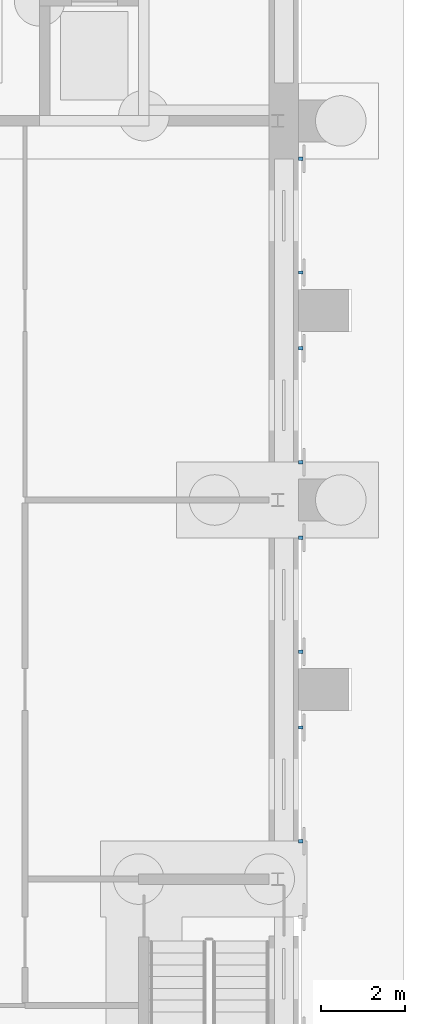
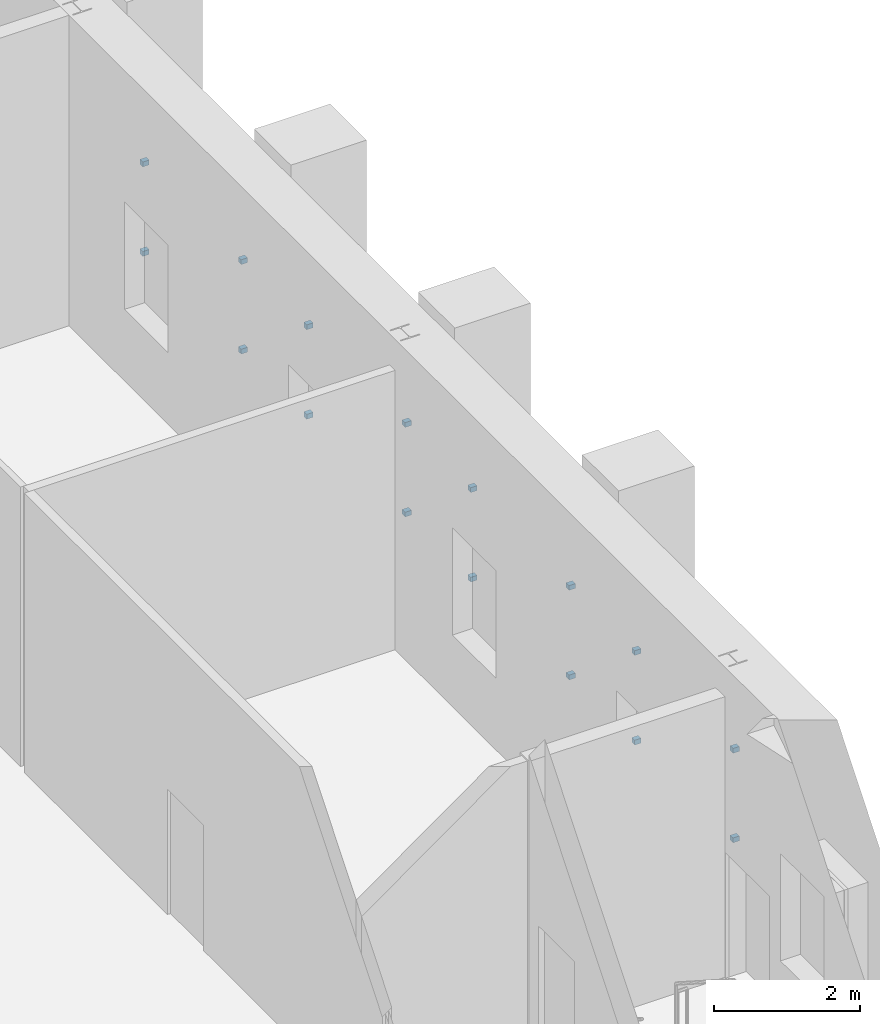
# One storey, part 122 of 168: 16 discrete accessories.
"""IFC4 building model written with IfcOpenShell, lengths in metres."""

from ifc_helpers import new_model, si_unit, direction, frame, origin, origin_2d, place, context, subcontext, project, spatial, rectangle, extrude, material, type_object, element, save


model = new_model("IFC4")

# Units and contexts
model_context = context("Model", 3, precision=1e-05, world=origin(), true_north=direction((0.0, 1.0)))
body_context = subcontext(model_context, "Body", "Model", "MODEL_VIEW")
ifc_project = project(units=[si_unit("LENGTHUNIT", "METRE"), si_unit("AREAUNIT", "SQUARE_METRE"), si_unit("VOLUMEUNIT", "CUBIC_METRE"), si_unit("PLANEANGLEUNIT", "RADIAN"), si_unit("MASSUNIT", "GRAM", prefix="KILO")], contexts=[model_context])

# Site, building, storey
site_placement = place(None, origin())
site = spatial("IfcSite", under=ifc_project, at=site_placement, CompositionType="ELEMENT")
building_placement = place(site_placement, origin())
building = spatial("IfcBuilding", under=site, at=building_placement, Name="Golden Quay Civic Hall", CompositionType="ELEMENT")
storey_placement = place(building_placement, origin())
storey = spatial("IfcBuildingStorey", under=building, at=storey_placement, Name="L00", CompositionType="ELEMENT", Elevation=0.0)

# Discrete accessories
ifc_material = material(Name="Steel S355", Category="steel")
discrete_accessory_type = type_object("IfcDiscreteAccessoryType", Name="Steel shutter bracket", PredefinedType="BRACKET", material=ifc_material)
for number, where, z_axis, x_axis, name in (
    (1, (171.550048828125, 72.89990234375, 1.409912109375), (0.0, 0.0, 1.0), (1.0, 0.0, 0.0), "Shutter bracket L00-E112a-1"),
    (2, (171.550048828125, 72.89990234375, 2.909912109375), (0.0, 0.0, 1.0), (1.0, 0.0, 0.0), "Shutter bracket L00-E112a-2"),
    (3, (171.550048828125, 75.60009765625, 1.409912109375), (0.0, 0.0, 1.0), (1.0, 0.0, 0.0), "Shutter bracket L00-E112b-1"),
    (4, (171.550048828125, 75.60009765625, 2.909912109375), (0.0, 0.0, 1.0), (1.0, 0.0, 0.0), "Shutter bracket L00-E112b-2"),
    (5, (171.550048828125, 77.39990234375, 1.409912109375), (0.0, 0.0, 1.0), (1.0, 0.0, 0.0), "Shutter bracket L00-E157a-1"),
    (6, (171.550048828125, 77.39990234375, 2.909912109375), (0.0, 0.0, 1.0), (1.0, 0.0, 0.0), "Shutter bracket L00-E157a-2"),
    (7, (171.550048828125, 80.10009765625, 1.409912109375), (0.0, 0.0, 1.0), (1.0, 0.0, 0.0), "Shutter bracket L00-E157b-1"),
    (8, (171.550048828125, 80.10009765625, 2.909912109375), (0.0, 0.0, 1.0), (1.0, 0.0, 0.0), "Shutter bracket L00-E157b-2"),
    (9, (171.550048828125, 81.89990234375, 1.409912109375), (0.0, 0.0, 1.0), (1.0, 0.0, 0.0), "Shutter bracket L00-E202a-1"),
    (10, (171.550048828125, 81.89990234375, 2.909912109375), (0.0, 0.0, 1.0), (1.0, 0.0, 0.0), "Shutter bracket L00-E202a-2"),
    (11, (171.550048828125, 84.60009765625, 1.409912109375), (0.0, 0.0, 1.0), (1.0, 0.0, 0.0), "Shutter bracket L00-E202b-1"),
    (12, (171.550048828125, 84.60009765625, 2.909912109375), (0.0, 0.0, 1.0), (1.0, 0.0, 0.0), "Shutter bracket L00-E202b-2"),
    (13, (171.550048828125, 86.39990234375, 1.409912109375), (0.0, 0.0, 1.0), (1.0, 0.0, 0.0), "Shutter bracket L00-E247a-1"),
    (14, (171.550048828125, 86.39990234375, 2.909912109375), (0.0, 0.0, 1.0), (1.0, 0.0, 0.0), "Shutter bracket L00-E247a-2"),
    (15, (171.550048828125, 89.10009765625, 1.409912109375), (0.0, 0.0, 1.0), (1.0, 0.0, 0.0), "Shutter bracket L00-E247b-1"),
    (16, (171.550048828125, 89.10009765625, 2.909912109375), (0.0, 0.0, 1.0), (1.0, 0.0, 0.0), "Shutter bracket L00-E247b-2"),
):
    element("IfcDiscreteAccessory", number, at=place(storey_placement, frame(where, z_axis=z_axis, x_axis=x_axis)), inside=storey, type_object=discrete_accessory_type, Name=name, PredefinedType="BRACKET", context=body_context, shape_type="SweptSolid", body=[
        extrude(rectangle(XDim=0.10009765625, YDim=0.080078125, at=origin_2d()), origin(), (0.0, 0.0, 1.0), 0.080078125),
    ])

save(model, "model.ifc")
